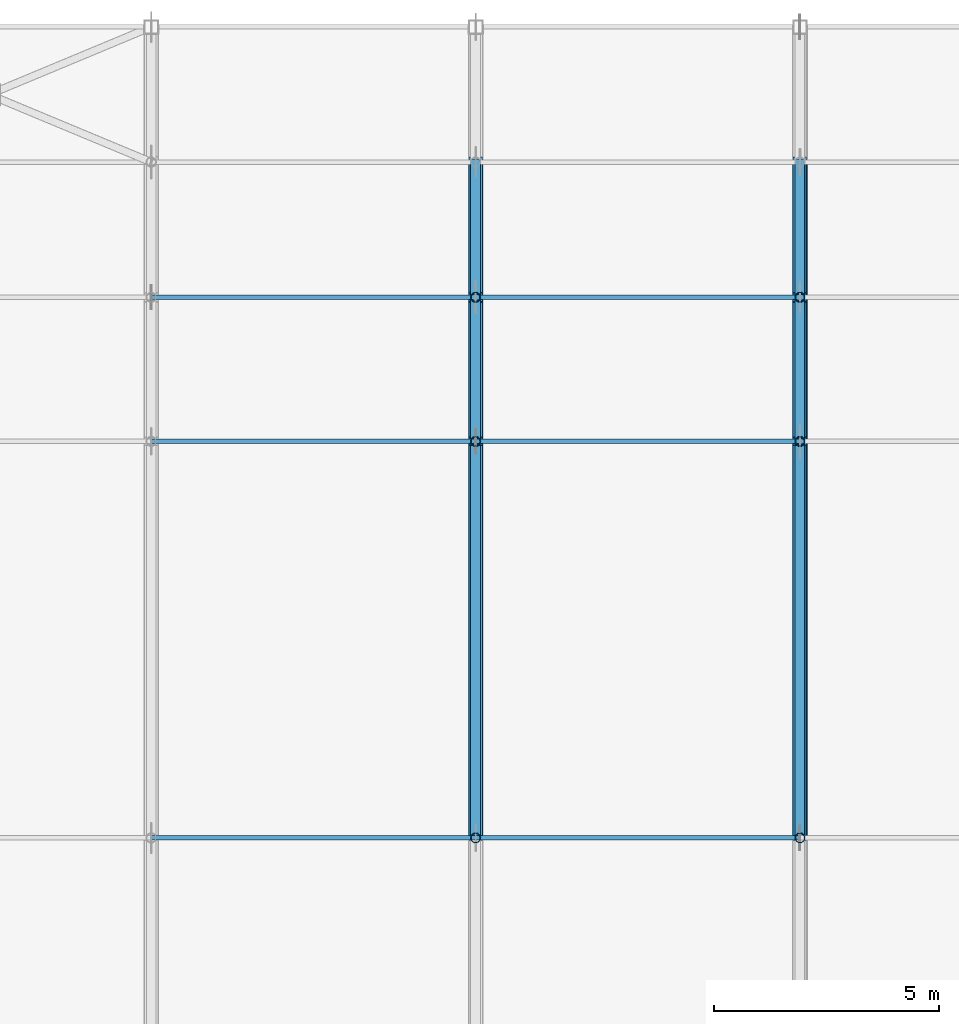
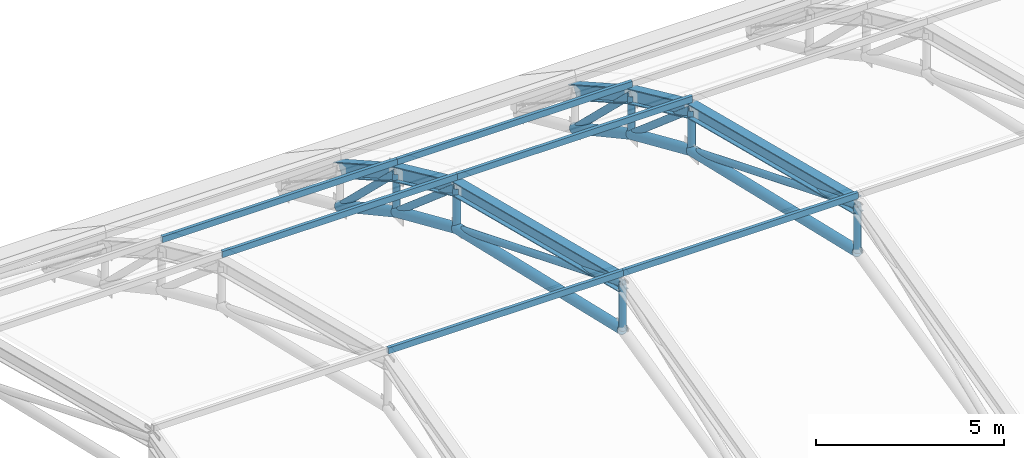
# One storey, part 17 of 63: 24 members, 6 beams.
"""IFC4 building model written with IfcOpenShell, lengths in metres."""

from ifc_helpers import new_model, si_unit, direction, frame, origin, origin_2d, place, context, subcontext, project, spatial, hollow_rectangle, hollow_circle, i_section, extrude, material, material_profile, profile_set, type_object, element, save


model = new_model("IFC4")

# Units and contexts
model_context = context("Model", 3, precision=1e-05, world=origin(), true_north=direction((0.0, 1.0)))
body_context = subcontext(model_context, "Body", "Model", "MODEL_VIEW")
ifc_project = project(units=[si_unit("LENGTHUNIT", "METRE"), si_unit("AREAUNIT", "SQUARE_METRE"), si_unit("VOLUMEUNIT", "CUBIC_METRE"), si_unit("PLANEANGLEUNIT", "RADIAN"), si_unit("MASSUNIT", "GRAM", prefix="KILO")], contexts=[model_context])

# Site, building, storey
site_placement = place(None, origin())
site = spatial("IfcSite", under=ifc_project, at=site_placement, CompositionType="ELEMENT")
building_placement = place(site_placement, origin())
building = spatial("IfcBuilding", under=site, at=building_placement, Name="Solvadek Multi-Sports Hall", CompositionType="ELEMENT")
storey_placement = place(building_placement, frame((0.0, 0.0, 19.199951171875)))
storey = spatial("IfcBuildingStorey", under=building, at=storey_placement, Name="RF", CompositionType="ELEMENT", Elevation=19.199951171875)

# Members
ifc_material_1 = material(Name="Steel E350 (350 MPa)", Category="steel")
ifc_material_profile_1 = material_profile(ifc_material_1, hollow_circle(Radius=0.109619140625, WallThickness=0.010009765625, at=origin_2d()), Name="CHS 219.1x10")
ifc_profile_set_1 = profile_set([ifc_material_profile_1], Name="Steel E350 (350 MPa)")
member_type_1 = type_object("IfcMemberType", Name="STR-BRC-CHS219", PredefinedType="BRACE", material=ifc_profile_set_1)
member_1_placement = place(storey_placement, frame((100.800048828125, 24.0, 2.35009765625), z_axis=(0.0, 0.0, 1.0), x_axis=(1.0, 0.0, 0.0)))
element("IfcMember", 1, at=member_1_placement, inside=storey, type_object=member_type_1, Name="v1 Truss 3 Web Vertical 4", PredefinedType="BRACE", context=body_context, shape_type="SweptSolid", body=[
    extrude(hollow_circle(Radius=0.109619140625, WallThickness=0.010009765625, at=origin_2d()), origin(), (0.0, 0.0, 1.0), 1.5),
])
member_2_placement = place(storey_placement, frame((100.800048828125, 24.0, 3.85009765625), z_axis=(0.0, 0.927015158586, -0.375023860244), x_axis=(-1.0, 0.0, 0.0)))
element("IfcMember", 2, at=member_2_placement, inside=storey, type_object=member_type_1, Name="v1 Truss 3 Web Diagonal 5", PredefinedType="BRACE", context=body_context, shape_type="SweptSolid", body=[
    extrude(hollow_circle(Radius=0.109619140625, WallThickness=0.010009765625, at=origin_2d()), origin(), (0.0, 0.0, 1.0), 9.492919921875),
])
member_3_placement = place(storey_placement, frame((100.800048828125, 32.800048828125, 0.2900390625), z_axis=(0.0, 0.0, 1.0), x_axis=(1.0, 0.0, 0.0)))
element("IfcMember", 3, at=member_3_placement, inside=storey, type_object=member_type_1, Name="v1 Truss 3 Web Vertical 5", PredefinedType="BRACE", context=body_context, shape_type="SweptSolid", body=[
    extrude(hollow_circle(Radius=0.109619140625, WallThickness=0.010009765625, at=origin_2d()), origin(), (0.0, 0.0, 1.0), 1.3291015625),
])
member_4_placement = place(storey_placement, frame((100.800048828125, 32.800048828125, 1.619140625), z_axis=(0.0, 0.760074683686, -0.649835729411), x_axis=(-1.0, 0.0, 0.0)))
element("IfcMember", 4, at=member_4_placement, inside=storey, type_object=member_type_1, Name="v1 Truss 3 Web Diagonal 6", PredefinedType="BRACE", context=body_context, shape_type="SweptSolid", body=[
    extrude(hollow_circle(Radius=0.109619140625, WallThickness=0.010009765625, at=origin_2d()), origin(), (0.0, 0.0, 1.0), 4.2099609375),
])
member_5_placement = place(storey_placement, frame((100.800048828125, 36.0, -1.11669921875), z_axis=(0.0, 0.0, 1.0), x_axis=(1.0, 0.0, 0.0)))
element("IfcMember", 5, at=member_5_placement, inside=storey, type_object=member_type_1, Name="v1 Truss 3 Web Vertical 6", PredefinedType="BRACE", context=body_context, shape_type="SweptSolid", body=[
    extrude(hollow_circle(Radius=0.109619140625, WallThickness=0.010009765625, at=origin_2d()), origin(), (0.0, 0.0, 1.0), 1.266845703125),
])
member_6_placement = place(storey_placement, frame((100.800048828125, 36.0, 0.150146484375), z_axis=(0.0, 0.718473942669, -0.695553875487), x_axis=(-1.0, 0.0, 0.0)))
element("IfcMember", 6, at=member_6_placement, inside=storey, type_object=member_type_1, Name="v1 Truss 3 Web Diagonal 7", PredefinedType="BRACE", context=body_context, shape_type="SweptSolid", body=[
    extrude(hollow_circle(Radius=0.109619140625, WallThickness=0.010009765625, at=origin_2d()), origin(), (0.0, 0.0, 1.0), 4.175537109375),
])
member_7_placement = place(storey_placement, frame((108.0, 24.0, 2.35009765625), z_axis=(0.0, 0.0, 1.0), x_axis=(1.0, 0.0, 0.0)))
element("IfcMember", 7, at=member_7_placement, inside=storey, type_object=member_type_1, Name="v1 Truss 4 Web Vertical 4", PredefinedType="BRACE", context=body_context, shape_type="SweptSolid", body=[
    extrude(hollow_circle(Radius=0.109619140625, WallThickness=0.010009765625, at=origin_2d()), origin(), (0.0, 0.0, 1.0), 1.5),
])
member_8_placement = place(storey_placement, frame((108.0, 24.0, 3.85009765625), z_axis=(0.0, 0.927015158586, -0.375023860244), x_axis=(-1.0, 0.0, 0.0)))
element("IfcMember", 8, at=member_8_placement, inside=storey, type_object=member_type_1, Name="v1 Truss 4 Web Diagonal 5", PredefinedType="BRACE", context=body_context, shape_type="SweptSolid", body=[
    extrude(hollow_circle(Radius=0.109619140625, WallThickness=0.010009765625, at=origin_2d()), origin(), (0.0, 0.0, 1.0), 9.492919921875),
])
member_9_placement = place(storey_placement, frame((108.0, 32.800048828125, 0.2900390625), z_axis=(0.0, 0.0, 1.0), x_axis=(1.0, 0.0, 0.0)))
element("IfcMember", 9, at=member_9_placement, inside=storey, type_object=member_type_1, Name="v1 Truss 4 Web Vertical 5", PredefinedType="BRACE", context=body_context, shape_type="SweptSolid", body=[
    extrude(hollow_circle(Radius=0.109619140625, WallThickness=0.010009765625, at=origin_2d()), origin(), (0.0, 0.0, 1.0), 1.3291015625),
])
member_10_placement = place(storey_placement, frame((108.0, 32.800048828125, 1.619140625), z_axis=(0.0, 0.760074683686, -0.649835729411), x_axis=(-1.0, 0.0, 0.0)))
element("IfcMember", 10, at=member_10_placement, inside=storey, type_object=member_type_1, Name="v1 Truss 4 Web Diagonal 6", PredefinedType="BRACE", context=body_context, shape_type="SweptSolid", body=[
    extrude(hollow_circle(Radius=0.109619140625, WallThickness=0.010009765625, at=origin_2d()), origin(), (0.0, 0.0, 1.0), 4.2099609375),
])
member_11_placement = place(storey_placement, frame((108.0, 36.0, -1.11669921875), z_axis=(0.0, 0.0, 1.0), x_axis=(1.0, 0.0, 0.0)))
element("IfcMember", 11, at=member_11_placement, inside=storey, type_object=member_type_1, Name="v1 Truss 4 Web Vertical 6", PredefinedType="BRACE", context=body_context, shape_type="SweptSolid", body=[
    extrude(hollow_circle(Radius=0.109619140625, WallThickness=0.010009765625, at=origin_2d()), origin(), (0.0, 0.0, 1.0), 1.266845703125),
])
member_12_placement = place(storey_placement, frame((108.0, 36.0, 0.150146484375), z_axis=(0.0, 0.718473942669, -0.695553875487), x_axis=(-1.0, 0.0, 0.0)))
element("IfcMember", 12, at=member_12_placement, inside=storey, type_object=member_type_1, Name="v1 Truss 4 Web Diagonal 7", PredefinedType="BRACE", context=body_context, shape_type="SweptSolid", body=[
    extrude(hollow_circle(Radius=0.109619140625, WallThickness=0.010009765625, at=origin_2d()), origin(), (0.0, 0.0, 1.0), 4.175537109375),
])
ifc_material_profile_2 = material_profile(ifc_material_1, hollow_circle(Radius=0.161865234375, WallThickness=0.012451171875, at=origin_2d()), Name="CHS 323.9x12.5")
ifc_profile_set_2 = profile_set([ifc_material_profile_2], Name="Steel E350 (350 MPa)")
member_type_2 = type_object("IfcMemberType", Name="STR-CHD-CHS323", PredefinedType="CHORD", material=ifc_profile_set_2)
member_13_placement = place(storey_placement, frame((100.800048828125, 24.0, 2.35009765625), z_axis=(0.0, 0.973676572462, -0.227934052391), x_axis=(-1.0, 0.0, 0.0)))
element("IfcMember", 13, at=member_13_placement, inside=storey, type_object=member_type_2, Name="v1 Arched Truss 3 Bottom Chord 5", PredefinedType="CHORD", context=body_context, shape_type="SweptSolid", body=[
    extrude(hollow_circle(Radius=0.161865234375, WallThickness=0.012451171875, at=origin_2d()), origin(), (0.0, 0.0, 1.0), 9.037841796875),
])
member_14_placement = place(storey_placement, frame((100.800048828125, 32.800048828125, 0.2900390625), z_axis=(0.0, 0.915445777878, -0.402441334564), x_axis=(-1.0, 0.0, 0.0)))
element("IfcMember", 14, at=member_14_placement, inside=storey, type_object=member_type_2, Name="v1 Arched Truss 3 Bottom Chord 6", PredefinedType="CHORD", context=body_context, shape_type="SweptSolid", body=[
    extrude(hollow_circle(Radius=0.161865234375, WallThickness=0.012451171875, at=origin_2d()), origin(), (0.0, 0.0, 1.0), 3.49560546875),
])
member_15_placement = place(storey_placement, frame((100.800048828125, 36.0, -1.11669921875), z_axis=(0.0, 0.877761773463, -0.479097348195), x_axis=(-1.0, 0.0, 0.0)))
element("IfcMember", 15, at=member_15_placement, inside=storey, type_object=member_type_2, Name="v1 Arched Truss 3 Bottom Chord 7", PredefinedType="CHORD", context=body_context, shape_type="SweptSolid", body=[
    extrude(hollow_circle(Radius=0.161865234375, WallThickness=0.012451171875, at=origin_2d()), origin(), (0.0, 0.0, 1.0), 3.417724609375),
])
member_16_placement = place(storey_placement, frame((108.0, 24.0, 2.35009765625), z_axis=(0.0, 0.973676572462, -0.227934052391), x_axis=(-1.0, 0.0, 0.0)))
element("IfcMember", 16, at=member_16_placement, inside=storey, type_object=member_type_2, Name="v1 Arched Truss 4 Bottom Chord 5", PredefinedType="CHORD", context=body_context, shape_type="SweptSolid", body=[
    extrude(hollow_circle(Radius=0.161865234375, WallThickness=0.012451171875, at=origin_2d()), origin(), (0.0, 0.0, 1.0), 9.037841796875),
])
member_17_placement = place(storey_placement, frame((108.0, 32.800048828125, 0.2900390625), z_axis=(0.0, 0.915445777878, -0.402441334564), x_axis=(-1.0, 0.0, 0.0)))
element("IfcMember", 17, at=member_17_placement, inside=storey, type_object=member_type_2, Name="v1 Arched Truss 4 Bottom Chord 6", PredefinedType="CHORD", context=body_context, shape_type="SweptSolid", body=[
    extrude(hollow_circle(Radius=0.161865234375, WallThickness=0.012451171875, at=origin_2d()), origin(), (0.0, 0.0, 1.0), 3.49560546875),
])
member_18_placement = place(storey_placement, frame((108.0, 36.0, -1.11669921875), z_axis=(0.0, 0.877761773463, -0.479097348195), x_axis=(-1.0, 0.0, 0.0)))
element("IfcMember", 18, at=member_18_placement, inside=storey, type_object=member_type_2, Name="v1 Arched Truss 4 Bottom Chord 7", PredefinedType="CHORD", context=body_context, shape_type="SweptSolid", body=[
    extrude(hollow_circle(Radius=0.161865234375, WallThickness=0.012451171875, at=origin_2d()), origin(), (0.0, 0.0, 1.0), 3.417724609375),
])
ifc_material_2 = material(Name="Steel E250 (250 MPa)", Category="steel")
ifc_material_profile_3 = material_profile(ifc_material_2, hollow_rectangle(XDim=0.10009765625, YDim=0.199951171875, WallThickness=0.008056640625, at=origin_2d()), Name="RHS 200x100x8")
ifc_profile_set_3 = profile_set([ifc_material_profile_3], Name="Steel E250 (250 MPa)")
member_type_3 = type_object("IfcMemberType", Name="STR-PUR-RHS200", PredefinedType="PURLIN", material=ifc_profile_set_3)
for number, where, z_axis, x_axis, name in (
    (19, (93.60009765625, 24.0, 4.18603515625), (1.0, 0.0, 0.0), (0.0, 1.0, 0.0), "V1 Roof Purlin #14"),
    (20, (93.60009765625, 32.800048828125, 1.970703125), (1.0, 0.0, 0.0), (0.0, 1.0, 0.0), "V1 Roof Purlin #15"),
    (21, (93.60009765625, 36.0, 0.512451171875), (1.0, 0.0, 0.0), (0.0, 1.0, 0.0), "V1 Roof Purlin #16"),
    (22, (100.800048828125, 24.0, 4.18603515625), (1.0, 0.0, 0.0), (0.0, 1.0, 0.0), "V1 Roof Purlin #23"),
    (23, (100.800048828125, 32.800048828125, 1.970703125), (1.0, 0.0, 0.0), (0.0, 1.0, 0.0), "V1 Roof Purlin #24"),
    (24, (100.800048828125, 36.0, 0.512451171875), (1.0, 0.0, 0.0), (0.0, 1.0, 0.0), "V1 Roof Purlin #25"),
):
    element("IfcMember", number, at=place(storey_placement, frame(where, z_axis=z_axis, x_axis=x_axis)), inside=storey, type_object=member_type_3, Name=name, PredefinedType="PURLIN", context=body_context, shape_type="SweptSolid", body=[
        extrude(hollow_rectangle(XDim=0.10009765625, YDim=0.199951171875, WallThickness=0.008056640625, at=origin_2d()), origin(), (0.0, 0.0, 1.0), 7.199951171875),
    ])

# Beams
ifc_material_profile_4 = material_profile(ifc_material_1, i_section(OverallWidth=0.300048828125, OverallDepth=0.449951171875, WebThickness=0.013916015625, FlangeThickness=0.02587890625, at=origin_2d()), Name="WPB 450")
ifc_profile_set_4 = profile_set([ifc_material_profile_4], Name="Steel E350 (350 MPa)")
beam_type = type_object("IfcBeamType", Name="STR-TRS-WPB450", PredefinedType="USERDEFINED", material=ifc_profile_set_4)
beam_1_placement = place(storey_placement, frame((100.800048828125, 24.0, 3.85009765625), z_axis=(0.0, 0.969335170668, -0.245742399488), x_axis=(-1.0, 0.0, 0.0)))
element("IfcBeam", 25, at=beam_1_placement, inside=storey, type_object=beam_type, Name="v1 Arched Truss 3 Top Chord 5", ObjectType="ROOF TRUSS", PredefinedType="USERDEFINED", context=body_context, shape_type="SweptSolid", body=[
    extrude(i_section(OverallWidth=0.300048828125, OverallDepth=0.449951171875, WebThickness=0.013916015625, FlangeThickness=0.02587890625, at=origin_2d()), origin(), (0.0, 0.0, 1.0), 9.078369140625),
])
beam_2_placement = place(storey_placement, frame((100.800048828125, 32.800048828125, 1.619140625), z_axis=(0.0, 0.908811875669, -0.417206153651), x_axis=(-1.0, 0.0, 0.0)))
element("IfcBeam", 26, at=beam_2_placement, inside=storey, type_object=beam_type, Name="v1 Arched Truss 3 Top Chord 6", ObjectType="ROOF TRUSS", PredefinedType="USERDEFINED", context=body_context, shape_type="SweptSolid", body=[
    extrude(i_section(OverallWidth=0.300048828125, OverallDepth=0.449951171875, WebThickness=0.013916015625, FlangeThickness=0.02587890625, at=origin_2d()), origin(), (0.0, 0.0, 1.0), 3.52099609375),
])
beam_3_placement = place(storey_placement, frame((100.800048828125, 36.0, 0.150146484375), z_axis=(0.0, 0.870544365607, -0.492089938436), x_axis=(-1.0, 0.0, 0.0)))
element("IfcBeam", 27, at=beam_3_placement, inside=storey, type_object=beam_type, Name="v1 Arched Truss 3 Top Chord 7", ObjectType="ROOF TRUSS", PredefinedType="USERDEFINED", context=body_context, shape_type="SweptSolid", body=[
    extrude(i_section(OverallWidth=0.300048828125, OverallDepth=0.449951171875, WebThickness=0.013916015625, FlangeThickness=0.02587890625, at=origin_2d()), origin(), (0.0, 0.0, 1.0), 3.446044921875),
])
beam_4_placement = place(storey_placement, frame((108.0, 24.0, 3.85009765625), z_axis=(0.0, 0.969335170668, -0.245742399488), x_axis=(-1.0, 0.0, 0.0)))
element("IfcBeam", 28, at=beam_4_placement, inside=storey, type_object=beam_type, Name="v1 Arched Truss 4 Top Chord 5", ObjectType="ROOF TRUSS", PredefinedType="USERDEFINED", context=body_context, shape_type="SweptSolid", body=[
    extrude(i_section(OverallWidth=0.300048828125, OverallDepth=0.449951171875, WebThickness=0.013916015625, FlangeThickness=0.02587890625, at=origin_2d()), origin(), (0.0, 0.0, 1.0), 9.078369140625),
])
beam_5_placement = place(storey_placement, frame((108.0, 32.800048828125, 1.619140625), z_axis=(0.0, 0.908811875669, -0.417206153651), x_axis=(-1.0, 0.0, 0.0)))
element("IfcBeam", 29, at=beam_5_placement, inside=storey, type_object=beam_type, Name="v1 Arched Truss 4 Top Chord 6", ObjectType="ROOF TRUSS", PredefinedType="USERDEFINED", context=body_context, shape_type="SweptSolid", body=[
    extrude(i_section(OverallWidth=0.300048828125, OverallDepth=0.449951171875, WebThickness=0.013916015625, FlangeThickness=0.02587890625, at=origin_2d()), origin(), (0.0, 0.0, 1.0), 3.52099609375),
])
beam_6_placement = place(storey_placement, frame((108.0, 36.0, 0.150146484375), z_axis=(0.0, 0.870544365607, -0.492089938436), x_axis=(-1.0, 0.0, 0.0)))
element("IfcBeam", 30, at=beam_6_placement, inside=storey, type_object=beam_type, Name="v1 Arched Truss 4 Top Chord 7", ObjectType="ROOF TRUSS", PredefinedType="USERDEFINED", context=body_context, shape_type="SweptSolid", body=[
    extrude(i_section(OverallWidth=0.300048828125, OverallDepth=0.449951171875, WebThickness=0.013916015625, FlangeThickness=0.02587890625, at=origin_2d()), origin(), (0.0, 0.0, 1.0), 3.446044921875),
])

save(model, "model.ifc")
